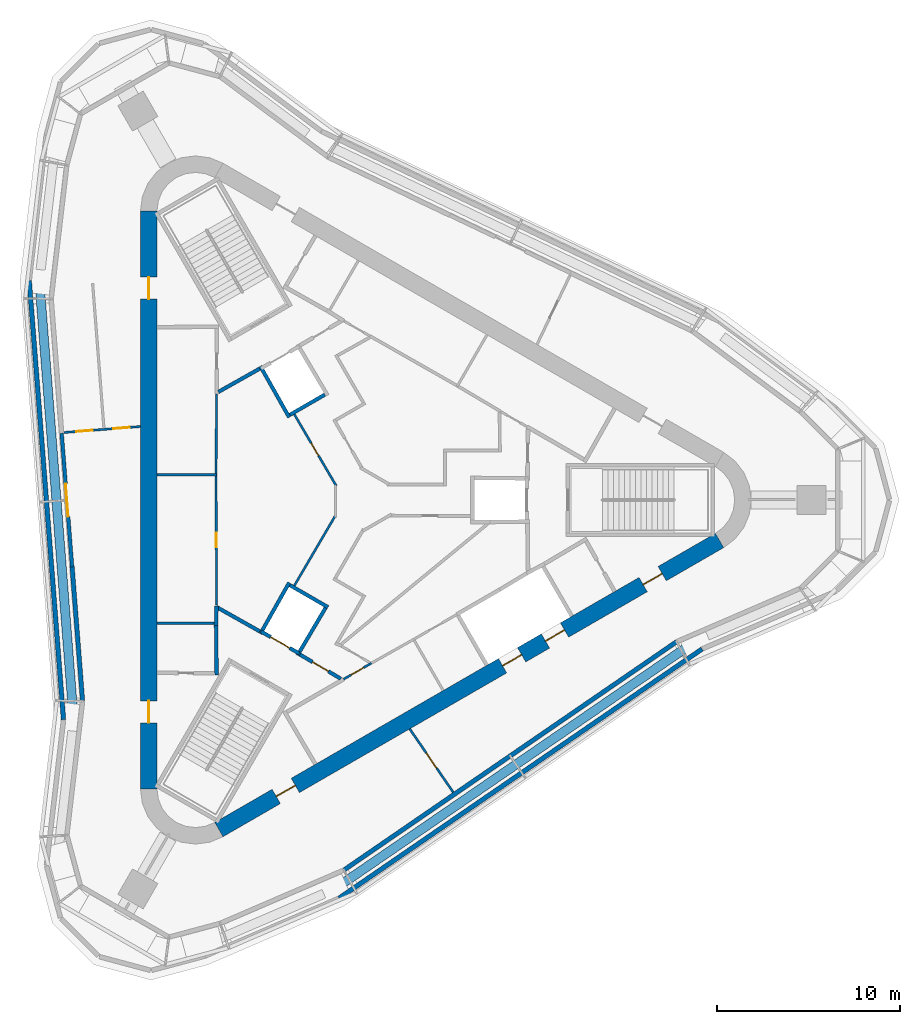
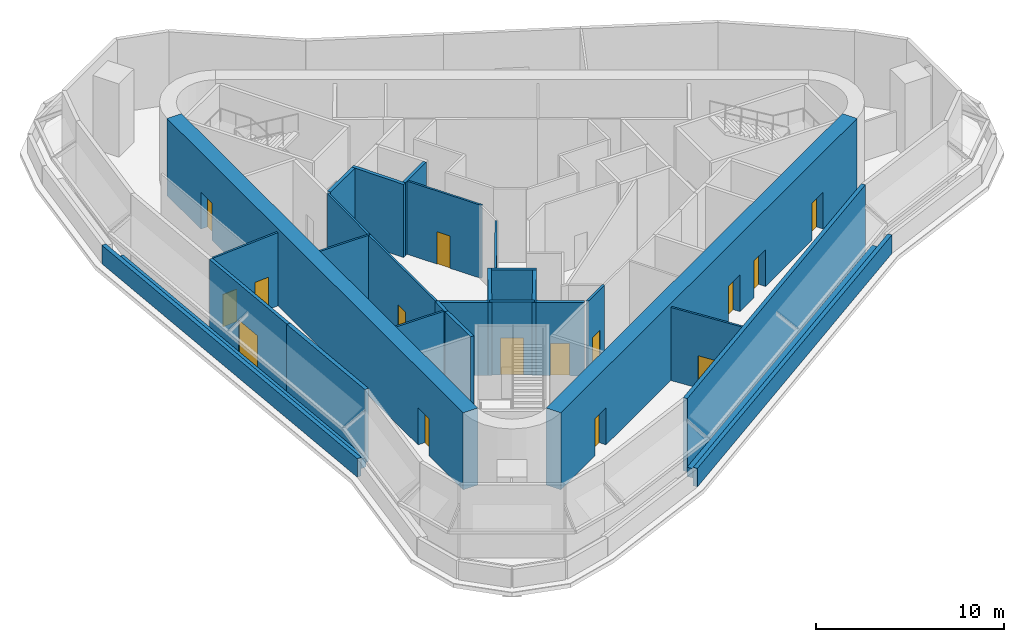
# One storey, part 3 of 7: 29 walls, 15 doors, 15 openings.
"""IFC4 building model written with IfcOpenShell, lengths in metres."""

from ifc_helpers import new_model, si_unit, direction, frame, frame_2d, origin, place, context, subcontext, project, spatial, rectangle, extrude, material, layer, layer_set, type_object, element, fill, save


model = new_model("IFC4")

# Units and contexts
model_context = context("Model", 3, precision=1e-05, world=origin(), true_north=direction((0.0, 1.0)))
body_context = subcontext(model_context, "Body", "Model", "MODEL_VIEW")
ifc_project = project(units=[si_unit("LENGTHUNIT", "METRE"), si_unit("AREAUNIT", "SQUARE_METRE"), si_unit("VOLUMEUNIT", "CUBIC_METRE"), si_unit("PLANEANGLEUNIT", "RADIAN"), si_unit("MASSUNIT", "GRAM", prefix="KILO")], contexts=[model_context])

# Site, building, storey
site_placement = place(None, origin())
site = spatial("IfcSite", under=ifc_project, at=site_placement, CompositionType="ELEMENT")
building_placement = place(site_placement, origin())
building = spatial("IfcBuilding", under=site, at=building_placement, Name="Tanit Gate Tower", CompositionType="ELEMENT")
storey_placement = place(building_placement, frame((0.0, 0.0, 420.300048828125)))
storey = spatial("IfcBuildingStorey", under=building, at=storey_placement, Name="L95", CompositionType="ELEMENT", Elevation=420.300048828125)

# Wall, openings, doors
ifc_material_1 = material(Name="Concrete C40/50", Category="concrete")
ifc_layer_1 = layer(ifc_material_1, 0.89990234375)
ifc_layer_set_1 = layer_set([ifc_layer_1], Name="CORE WALL 900 C40/50")
wall_type_1 = type_object("IfcWallType", Name="CORE WALL 900 C40/50", PredefinedType="SHEAR", material=ifc_layer_set_1)
wall_1_placement = place(storey_placement, frame((-11.64990234375, 15.76171875, 0.0), z_axis=(0.0, 0.0, 1.0), x_axis=(0.0, -1.0, 0.0)))
wall_1 = element("IfcWall", 1, at=wall_1_placement, inside=storey, type_object=wall_type_1, Name="CORE WALL", PredefinedType="SHEAR", context=body_context, shape_type="SweptSolid", body=[
    extrude(rectangle(XDim=31.5234375, YDim=0.89990234375, at=frame_2d((15.76171875, 0.0))), origin(), (0.0, 0.0, 1.0), 5.0),
])
opening_1_placement = place(wall_1_placement, frame((3.61181640625, 0.0, 0.0)))
opening_1 = element("IfcOpeningElement", 2, at=opening_1_placement, cuts=wall_1, Name="Opening F12-95-FL2", PredefinedType="OPENING", context=body_context, shape_type="SweptSolid", body=[
    extrude(rectangle(XDim=1.199951171875, YDim=2.39990234375, at=frame_2d((0.60009765625, 1.199951171875))), frame((0.0, 0.4599609375, 0.0), z_axis=(0.0, -1.0, 0.0), x_axis=(1.0, 0.0, 0.0)), (0.0, 0.0, 1.0), 0.919921875),
])
opening_2_placement = place(wall_1_placement, frame((26.711669921875, 0.0, 0.0)))
opening_2 = element("IfcOpeningElement", 3, at=opening_2_placement, cuts=wall_1, Name="Opening F12-95-S3", PredefinedType="OPENING", context=body_context, shape_type="SweptSolid", body=[
    extrude(rectangle(XDim=1.199951171875, YDim=2.39990234375, at=frame_2d((0.60009765625, 1.199951171875))), frame((0.0, 0.4599609375, 0.0), z_axis=(0.0, -1.0, 0.0), x_axis=(1.0, 0.0, 0.0)), (0.0, 0.0, 1.0), 0.919921875),
])
ifc_material_2 = material(Name="Fire-rated steel door leaf", Category="steel")
door_type_1 = type_object("IfcDoorType", Name="INT-DOOR-FIRE-LOBBY-1200", OperationType="NOTDEFINED", PredefinedType="USERDEFINED", material=ifc_material_2)
door_1_placement = place(opening_1_placement, origin())
door_1 = element("IfcDoor", 4, at=door_1_placement, inside=storey, type_object=door_type_1, Name="Door F12-95-FL2", ObjectType="FIRE DOOR", OperationType="SINGLE_SWING_LEFT", OverallHeight=2.39990234375, OverallWidth=1.199951171875, PredefinedType="USERDEFINED", context=body_context, shape_type="SweptSolid", body=[
    extrude(rectangle(XDim=1.199951171875, YDim=2.39990234375, at=frame_2d((0.60009765625, 1.199951171875))), frame((0.0, 0.02490234375, 0.0), z_axis=(0.0, -1.0, 0.0), x_axis=(1.0, 0.0, 0.0)), (0.0, 0.0, 1.0), 0.050048828125),
])
fill(opening_1, door_1)
door_2_placement = place(opening_2_placement, origin())
door_2 = element("IfcDoor", 5, at=door_2_placement, inside=storey, type_object=door_type_1, Name="Door F12-95-S3", ObjectType="FIRE DOOR", OperationType="SINGLE_SWING_LEFT", OverallHeight=2.39990234375, OverallWidth=1.199951171875, PredefinedType="USERDEFINED", context=body_context, shape_type="SweptSolid", body=[
    extrude(rectangle(XDim=1.199951171875, YDim=2.39990234375, at=frame_2d((0.60009765625, 1.199951171875))), frame((0.0, 0.02490234375, 0.0), z_axis=(0.0, -1.0, 0.0), x_axis=(1.0, 0.0, 0.0)), (0.0, 0.0, 1.0), 0.050048828125),
])
fill(opening_2, door_2)

wall_2_placement = place(storey_placement, frame((-7.824951171875, -17.969970703125, 0.0), z_axis=(0.0, 0.0, 1.0), x_axis=(0.866028369851, 0.499994862586, 0.0)))
wall_2 = element("IfcWall", 6, at=wall_2_placement, inside=storey, type_object=wall_type_1, Name="CORE WALL", PredefinedType="SHEAR", context=body_context, shape_type="SweptSolid", body=[
    extrude(rectangle(XDim=31.523193359375, YDim=0.89990234375, at=frame_2d((15.76171875, 0.0))), origin(), (0.0, 0.0, 1.0), 5.0),
])
opening_3_placement = place(wall_2_placement, frame((17.861572265625, 0.0, 0.0)))
opening_3 = element("IfcOpeningElement", 7, at=opening_3_placement, cuts=wall_2, Name="Opening LDSV1-95", PredefinedType="OPENING", context=body_context, shape_type="SweptSolid", body=[
    extrude(rectangle(XDim=1.199951171875, YDim=2.39990234375, at=frame_2d((0.60009765625, 1.199951171875))), frame((0.0, 0.4599609375, 0.0), z_axis=(0.0, -1.0, 0.0), x_axis=(1.0, 0.0, 0.0)), (0.0, 0.0, 1.0), 0.919921875),
])
opening_4_placement = place(wall_2_placement, frame((20.561767578125, 0.0, 0.0)))
opening_4 = element("IfcOpeningElement", 8, at=opening_4_placement, cuts=wall_2, Name="Opening LDSV2-95", PredefinedType="OPENING", context=body_context, shape_type="SweptSolid", body=[
    extrude(rectangle(XDim=1.199951171875, YDim=2.39990234375, at=frame_2d((0.60009765625, 1.199951171875))), frame((0.0, 0.4599609375, 0.0), z_axis=(0.0, -1.0, 0.0), x_axis=(1.0, 0.0, 0.0)), (0.0, 0.0, 1.0), 0.919921875),
])
opening_5_placement = place(wall_2_placement, frame((26.711669921875, 0.0, 0.0)))
opening_5 = element("IfcOpeningElement", 9, at=opening_5_placement, cuts=wall_2, Name="Opening F12-95-S1", PredefinedType="OPENING", context=body_context, shape_type="SweptSolid", body=[
    extrude(rectangle(XDim=1.199951171875, YDim=2.39990234375, at=frame_2d((0.60009765625, 1.199951171875))), frame((0.0, 0.4599609375, 0.0), z_axis=(0.0, -1.0, 0.0), x_axis=(1.0, 0.0, 0.0)), (0.0, 0.0, 1.0), 0.919921875),
])
opening_6_placement = place(wall_2_placement, frame((3.611572265625, 0.0, 0.0)))
opening_6 = element("IfcOpeningElement", 10, at=opening_6_placement, cuts=wall_2, Name="Opening F12-95-FL3", PredefinedType="OPENING", context=body_context, shape_type="SweptSolid", body=[
    extrude(rectangle(XDim=1.199951171875, YDim=2.39990234375, at=frame_2d((0.60009765625, 1.199951171875))), frame((0.0, 0.4599609375, 0.0), z_axis=(0.0, -1.0, 0.0), x_axis=(1.0, 0.0, 0.0)), (0.0, 0.0, 1.0), 0.919921875),
])
door_3_placement = place(opening_5_placement, origin())
door_3 = element("IfcDoor", 11, at=door_3_placement, inside=storey, type_object=door_type_1, Name="Door F12-95-S1", ObjectType="FIRE DOOR", OperationType="SINGLE_SWING_LEFT", OverallHeight=2.39990234375, OverallWidth=1.199951171875, PredefinedType="USERDEFINED", context=body_context, shape_type="SweptSolid", body=[
    extrude(rectangle(XDim=1.199951171875, YDim=2.39990234375, at=frame_2d((0.60009765625, 1.199951171875))), frame((0.0, 0.02490234375, 0.0), z_axis=(0.0, -1.0, 0.0), x_axis=(1.0, 0.0, 0.0)), (0.0, 0.0, 1.0), 0.050048828125),
])
fill(opening_5, door_3)
door_4_placement = place(opening_6_placement, origin())
door_4 = element("IfcDoor", 12, at=door_4_placement, inside=storey, type_object=door_type_1, Name="Door F12-95-FL3", ObjectType="FIRE DOOR", OperationType="SINGLE_SWING_RIGHT", OverallHeight=2.39990234375, OverallWidth=1.199951171875, PredefinedType="USERDEFINED", context=body_context, shape_type="SweptSolid", body=[
    extrude(rectangle(XDim=1.199951171875, YDim=2.39990234375, at=frame_2d((0.60009765625, 1.199951171875))), frame((0.0, 0.02490234375, 0.0), z_axis=(0.0, -1.0, 0.0), x_axis=(1.0, 0.0, 0.0)), (0.0, 0.0, 1.0), 0.050048828125),
])
fill(opening_6, door_4)
ifc_material_3 = material(Name="Stainless steel sliding door leaf", Category="steel")
door_type_2 = type_object("IfcDoorType", Name="INT-DOOR-LANDING-1200", OperationType="NOTDEFINED", PredefinedType="USERDEFINED", material=ifc_material_3)
door_5_placement = place(opening_3_placement, origin())
door_5 = element("IfcDoor", 13, at=door_5_placement, inside=storey, type_object=door_type_2, Name="Door LDSV1-95", ObjectType="LANDING DOOR", OperationType="SLIDING_TO_LEFT", OverallHeight=2.39990234375, OverallWidth=1.199951171875, PredefinedType="USERDEFINED", context=body_context, shape_type="SweptSolid", body=[
    extrude(rectangle(XDim=1.199951171875, YDim=2.39990234375, at=frame_2d((0.60009765625, 1.199951171875))), frame((0.0, 0.02490234375, 0.0), z_axis=(0.0, -1.0, 0.0), x_axis=(1.0, 0.0, 0.0)), (0.0, 0.0, 1.0), 0.050048828125),
])
fill(opening_3, door_5)
door_6_placement = place(opening_4_placement, origin())
door_6 = element("IfcDoor", 14, at=door_6_placement, inside=storey, type_object=door_type_2, Name="Door LDSV2-95", ObjectType="LANDING DOOR", OperationType="SLIDING_TO_LEFT", OverallHeight=2.39990234375, OverallWidth=1.199951171875, PredefinedType="USERDEFINED", context=body_context, shape_type="SweptSolid", body=[
    extrude(rectangle(XDim=1.199951171875, YDim=2.39990234375, at=frame_2d((0.60009765625, 1.199951171875))), frame((0.0, 0.02490234375, 0.0), z_axis=(0.0, -1.0, 0.0), x_axis=(1.0, 0.0, 0.0)), (0.0, 0.0, 1.0), 0.050048828125),
])
fill(opening_4, door_6)

# Wall, opening, door
ifc_material_4 = material(Name="Concrete C30/37 rendered", Category="concrete")
ifc_layer_2 = layer(ifc_material_4, 0.199951171875)
ifc_layer_set_2 = layer_set([ifc_layer_2], Name="Facade wall 200 rendered")
wall_type_2 = type_object("IfcWallType", Name="Facade wall 200 rendered", PredefinedType="SOLIDWALL", material=ifc_layer_set_2)
wall_3_placement = place(storey_placement, frame((-16.397705078125, 3.6396484375, 0.0), z_axis=(0.0, 0.0, 1.0), x_axis=(0.077825911159, -0.996966964123, 0.0)))
wall_3 = element("IfcWall", 15, at=wall_3_placement, inside=storey, type_object=wall_type_2, Name="Facade wall L95 W2.2", PredefinedType="SOLIDWALL", context=body_context, shape_type="SweptSolid", body=[
    extrude(rectangle(XDim=7.30615234375, YDim=0.199951171875, at=frame_2d((3.653076171875, 0.0))), origin(), (0.0, 0.0, 1.0), 4.75),
])
opening_7_placement = place(wall_3_placement, frame((2.753173828125, 0.0, 0.0)))
opening_7 = element("IfcOpeningElement", 16, at=opening_7_placement, cuts=wall_3, Name="Opening D2", PredefinedType="OPENING", context=body_context, shape_type="SweptSolid", body=[
    extrude(rectangle(XDim=1.800048828125, YDim=2.39990234375, at=frame_2d((0.89990234375, 1.199951171875))), frame((0.0, 0.10986328125, 0.0), z_axis=(0.0, -1.0, 0.0), x_axis=(1.0, 0.0, 0.0)), (0.0, 0.0, 1.0), 0.219970703125),
])
ifc_material_5 = material(Name="Aluminium bronze anodised and glass", Category="aluminium")
door_type_3 = type_object("IfcDoorType", Name="Terrace door double 1800x2400", OperationType="DOUBLE_DOOR_SINGLE_SWING", PredefinedType="DOOR", material=ifc_material_5)
door_7_placement = place(opening_7_placement, frame((1.800048828125, 0.0, 0.0), z_axis=(0.0, 0.0, 1.0), x_axis=(-1.0, 0.0, 0.0)))
door_7 = element("IfcDoor", 17, at=door_7_placement, inside=storey, type_object=door_type_3, Name="Terrace door", OperationType="SINGLE_SWING_RIGHT", OverallHeight=2.39990234375, OverallWidth=1.800048828125, PredefinedType="DOOR", context=body_context, shape_type="SweptSolid", body=[
    extrude(rectangle(XDim=1.800048828125, YDim=2.39990234375, at=frame_2d((0.89990234375, 1.199951171875))), frame((0.0, 0.02490234375, 0.0), z_axis=(0.0, -1.0, 0.0), x_axis=(1.0, 0.0, 0.0)), (0.0, 0.0, 1.0), 0.050048828125),
])
fill(opening_7, door_7)

# Walls
ifc_material_6 = material(Name="Concrete C30/37 with bronze anodised aluminium cladding", Category="concrete")
ifc_layer_3 = layer(ifc_material_6, 0.239990234375)
ifc_layer_set_3 = layer_set([ifc_layer_3], Name="Facade wall bronze clad 240")
wall_type_3 = type_object("IfcWallType", Name="Facade wall bronze clad 240", PredefinedType="SOLIDWALL", material=ifc_layer_set_3)
wall_4_placement = place(storey_placement, frame((-15.8291015625, -3.644287109375, 0.0), z_axis=(0.0, 0.0, 1.0), x_axis=(0.077832442278, -0.996966454265, 0.0)))
element("IfcWall", 18, at=wall_4_placement, inside=storey, type_object=wall_type_3, Name="Bronze-clad facade wall L95 W2b", PredefinedType="SOLIDWALL", context=body_context, shape_type="SweptSolid", body=[
    extrude(rectangle(XDim=7.34619140625, YDim=0.239990234375, at=frame_2d((3.673095703125, 0.0))), origin(), (0.0, 0.0, 1.0), 4.75),
])
wall_5_placement = place(storey_placement, frame((-1.010009765625, -20.177978515625, 0.0), z_axis=(0.0, 0.0, 1.0), x_axis=(0.824477208683, 0.565895160221, 0.0)))
element("IfcWall", 19, at=wall_5_placement, inside=storey, type_object=wall_type_3, Name="Bronze-clad facade wall L95 SE2", PredefinedType="SOLIDWALL", context=body_context, shape_type="SweptSolid", body=[
    extrude(rectangle(XDim=21.998779296875, YDim=0.239990234375, at=frame_2d((10.99951171875, 0.0))), origin(), (0.0, 0.0, 1.0), 4.75),
])
ifc_material_7 = material(Name="Fire-rated gypsum board partition")
ifc_layer_4 = layer(ifc_material_7, 0.199951171875)
ifc_layer_set_4 = layer_set([ifc_layer_4], Name="INT-WALL-COMPARTMENT")
wall_type_4 = type_object("IfcWallType", Name="INT-WALL-COMPARTMENT", PredefinedType="PARTITIONING", material=ifc_layer_set_4)
wall_6_placement = place(storey_placement, frame((-7.983154296875, -6.849853515625, 0.0), z_axis=(0.0, 0.0, 1.0), x_axis=(0.030803413295, 0.999525462272, 0.0)))
element("IfcWall", 20, at=wall_6_placement, inside=storey, type_object=wall_type_4, Name="Wall Compartment W039", PredefinedType="PARTITIONING", context=body_context, shape_type="SweptSolid", body=[
    extrude(rectangle(XDim=1.077880859375, YDim=0.199951171875, at=frame_2d((0.5390625, 0.0))), origin(), (0.0, 0.0, 1.0), 4.75),
])
wall_7_placement = place(storey_placement, frame((-7.948974609375, -9.550048828125, 0.0), z_axis=(0.0, 0.0, 1.0), x_axis=(-0.011121475088, 0.999938154483, 0.0)))
element("IfcWall", 21, at=wall_7_placement, inside=storey, type_object=wall_type_4, Name="Wall Compartment W041", PredefinedType="PARTITIONING", context=body_context, shape_type="SweptSolid", body=[
    extrude(rectangle(XDim=2.7001953125, YDim=0.199951171875, at=frame_2d((1.35009765625, 0.0))), origin(), (0.0, 0.0, 1.0), 4.75),
])
wall_8_placement = place(storey_placement, frame((-5.600341796875, 7.16015625, 0.0), z_axis=(0.0, 0.0, 1.0), x_axis=(-0.871350695252, -0.490660744185, 0.0)))
element("IfcWall", 22, at=wall_8_placement, inside=storey, type_object=wall_type_4, Name="Wall Compartment W064", PredefinedType="PARTITIONING", context=body_context, shape_type="SweptSolid", body=[
    extrude(rectangle(XDim=2.58203125, YDim=0.199951171875, at=frame_2d((1.291015625, 0.0))), origin(), (0.0, 0.0, 1.0), 4.75),
])
wall_9_placement = place(storey_placement, frame((-7.960693359375, -5.8310546875, 0.0), z_axis=(0.0, 0.0, 1.0), x_axis=(0.871354007017, -0.490654862867, 0.0)))
element("IfcWall", 23, at=wall_9_placement, inside=storey, type_object=wall_type_4, Name="Wall Compartment W066", PredefinedType="PARTITIONING", context=body_context, shape_type="SweptSolid", body=[
    extrude(rectangle(XDim=2.708740234375, YDim=0.199951171875, at=frame_2d((1.3544921875, 0.0))), origin(), (0.0, 0.0, 1.0), 4.75),
])

# Wall, opening, door
wall_10_placement = place(storey_placement, frame((-3.400634765625, -8.43017578125, 0.0), z_axis=(0.0, 0.0, 1.0), x_axis=(0.860630814782, -0.509229418482, 0.0)))
wall_10 = element("IfcWall", 24, at=wall_10_placement, inside=storey, type_object=wall_type_4, Name="Wall Compartment W067", PredefinedType="PARTITIONING", context=body_context, shape_type="SweptSolid", body=[
    extrude(rectangle(XDim=2.581787109375, YDim=0.199951171875, at=frame_2d((1.291015625, 0.0))), origin(), (0.0, 0.0, 1.0), 4.75),
])
opening_8_placement = place(wall_10_placement, frame((0.791015625, 0.0, 0.0)))
opening_8 = element("IfcOpeningElement", 25, at=opening_8_placement, cuts=wall_10, Name="Opening F10-95-08", PredefinedType="OPENING", context=body_context, shape_type="SweptSolid", body=[
    extrude(rectangle(XDim=1.0, YDim=2.10009765625, at=frame_2d((0.5, 1.050048828125))), frame((0.0, 0.10986328125, 0.0), z_axis=(0.0, -1.0, 0.0), x_axis=(1.0, 0.0, 0.0)), (0.0, 0.0, 1.0), 0.219970703125),
])
ifc_material_8 = material(Name="Fire-rated steel door leaf", Category="steel")
door_type_4 = type_object("IfcDoorType", Name="INT-DOOR-FIRE-1000", OperationType="NOTDEFINED", PredefinedType="USERDEFINED", material=ifc_material_8)
door_8_placement = place(opening_8_placement, origin())
door_8 = element("IfcDoor", 26, at=door_8_placement, inside=storey, type_object=door_type_4, Name="Door F10-95-08", ObjectType="FIRE DOOR", OperationType="SINGLE_SWING_RIGHT", OverallHeight=2.10009765625, OverallWidth=1.0, PredefinedType="USERDEFINED", context=body_context, shape_type="SweptSolid", body=[
    extrude(rectangle(XDim=1.0, YDim=2.10009765625, at=frame_2d((0.5, 1.050048828125))), frame((0.0, 0.02490234375, 0.0), z_axis=(0.0, -1.0, 0.0), x_axis=(1.0, 0.0, 0.0)), (0.0, 0.0, 1.0), 0.050048828125),
])
fill(opening_8, door_8)

# Walls
ifc_material_9 = material(Name="Gypsum board partition")
ifc_layer_5 = layer(ifc_material_9, 0.1201171875)
ifc_layer_set_5 = layer_set([ifc_layer_5], Name="INT-WALL-PARTITION")
wall_type_5 = type_object("IfcWallType", Name="INT-WALL-PARTITION", PredefinedType="PARTITIONING", material=ifc_layer_set_5)
wall_11_placement = place(storey_placement, frame((-11.199951171875, 1.3798828125, 0.0), z_axis=(0.0, 0.0, 1.0), x_axis=(1.0, 0.0, 0.0)))
element("IfcWall", 27, at=wall_11_placement, inside=storey, type_object=wall_type_5, Name="Wall Partition W034", PredefinedType="PARTITIONING", context=body_context, shape_type="SweptSolid", body=[
    extrude(rectangle(XDim=3.25, YDim=0.1201171875, at=frame_2d((1.625, 0.0))), origin(), (0.0, 0.0, 1.0), 4.75),
])
wall_12_placement = place(storey_placement, frame((-7.950439453125, 5.7724609375, 0.0), z_axis=(0.0, 0.0, 1.0), x_axis=(-0.006679767059, -0.999977690107, 0.0)))
element("IfcWall", 28, at=wall_12_placement, inside=storey, type_object=wall_type_5, Name="Wall Partition W037", PredefinedType="PARTITIONING", context=body_context, shape_type="SweptSolid", body=[
    extrude(rectangle(XDim=4.42236328125, YDim=0.1201171875, at=frame_2d((2.211181640625, 0.0))), origin(), (0.0, 0.0, 1.0), 4.75),
])
wall_13_placement = place(storey_placement, frame((-11.199951171875, -6.719970703125, 0.0), z_axis=(0.0, 0.0, 1.0), x_axis=(1.0, 0.0, 0.0)))
element("IfcWall", 29, at=wall_13_placement, inside=storey, type_object=wall_type_5, Name="Wall Partition W038", PredefinedType="PARTITIONING", context=body_context, shape_type="SweptSolid", body=[
    extrude(rectangle(XDim=3.25, YDim=0.1201171875, at=frame_2d((1.625, 0.0))), origin(), (0.0, 0.0, 1.0), 4.75),
])

# Wall, opening, door
wall_14_placement = place(storey_placement, frame((-7.97998046875, 1.35009765625, 0.0), z_axis=(0.0, 0.0, 1.0), x_axis=(0.004177130679, -0.999991275752, 0.0)))
wall_14 = element("IfcWall", 30, at=wall_14_placement, inside=storey, type_object=wall_type_5, Name="Wall Partition W040", PredefinedType="PARTITIONING", context=body_context, shape_type="SweptSolid", body=[
    extrude(rectangle(XDim=7.072021484375, YDim=0.1201171875, at=frame_2d((3.5361328125, 0.0))), origin(), (0.0, 0.0, 1.0), 4.75),
])
opening_9_placement = place(wall_14_placement, frame((3.135986328125, 0.0, 0.0)))
opening_9 = element("IfcOpeningElement", 31, at=opening_9_placement, cuts=wall_14, Name="Opening R08-95-15", PredefinedType="OPENING", context=body_context, shape_type="SweptSolid", body=[
    extrude(rectangle(XDim=0.800048828125, YDim=2.10009765625, at=frame_2d((0.39990234375, 1.050048828125))), frame((0.0, 0.070068359375, 0.0), z_axis=(0.0, -1.0, 0.0), x_axis=(1.0, 0.0, 0.0)), (0.0, 0.0, 1.0), 0.14013671875),
])
ifc_material_10 = material(Name="Timber door leaf", Category="wood")
door_type_5 = type_object("IfcDoorType", Name="INT-DOOR-RISER-800", OperationType="NOTDEFINED", PredefinedType="USERDEFINED", material=ifc_material_10)
door_9_placement = place(opening_9_placement, origin())
door_9 = element("IfcDoor", 32, at=door_9_placement, inside=storey, type_object=door_type_5, Name="Door R08-95-15", ObjectType="FIRE DOOR", OperationType="SINGLE_SWING_RIGHT", OverallHeight=2.10009765625, OverallWidth=0.800048828125, PredefinedType="USERDEFINED", context=body_context, shape_type="SweptSolid", body=[
    extrude(rectangle(XDim=0.800048828125, YDim=2.10009765625, at=frame_2d((0.39990234375, 1.050048828125))), frame((0.0, 0.02490234375, 0.0), z_axis=(0.0, -1.0, 0.0), x_axis=(1.0, 0.0, 0.0)), (0.0, 0.0, 1.0), 0.050048828125),
])
fill(opening_9, door_9)

wall_15_placement = place(storey_placement, frame((0.49267578125, -8.8955078125, 0.0), z_axis=(0.0, 0.0, 1.0), x_axis=(-0.86605557906, -0.499947731247, 0.0)))
wall_15 = element("IfcWall", 33, at=wall_15_placement, inside=storey, type_object=wall_type_5, Name="Wall Partition W058", PredefinedType="PARTITIONING", context=body_context, shape_type="SweptSolid", body=[
    extrude(rectangle(XDim=1.751220703125, YDim=0.1201171875, at=frame_2d((0.87548828125, 0.0))), origin(), (0.0, 0.0, 1.0), 4.75),
])
opening_10_placement = place(wall_15_placement, frame((0.485595703125, 0.0, 0.0)))
opening_10 = element("IfcOpeningElement", 34, at=opening_10_placement, cuts=wall_15, Name="Opening R08-95-20", PredefinedType="OPENING", context=body_context, shape_type="SweptSolid", body=[
    extrude(rectangle(XDim=0.800048828125, YDim=2.10009765625, at=frame_2d((0.39990234375, 1.050048828125))), frame((0.0, 0.070068359375, 0.0), z_axis=(0.0, -1.0, 0.0), x_axis=(1.0, 0.0, 0.0)), (0.0, 0.0, 1.0), 0.14013671875),
])
door_10_placement = place(opening_10_placement, origin())
door_10 = element("IfcDoor", 35, at=door_10_placement, inside=storey, type_object=door_type_5, Name="Door R08-95-20", ObjectType="FIRE DOOR", OperationType="SINGLE_SWING_LEFT", OverallHeight=2.10009765625, OverallWidth=0.800048828125, PredefinedType="USERDEFINED", context=body_context, shape_type="SweptSolid", body=[
    extrude(rectangle(XDim=0.800048828125, YDim=2.10009765625, at=frame_2d((0.39990234375, 1.050048828125))), frame((0.0, 0.02490234375, 0.0), z_axis=(0.0, -1.0, 0.0), x_axis=(1.0, 0.0, 0.0)), (0.0, 0.0, 1.0), 0.050048828125),
])
fill(opening_10, door_10)

wall_16_placement = place(storey_placement, frame((-1.42041015625, 0.76171875, 0.0), z_axis=(0.0, 0.0, 1.0), x_axis=(-0.505655878767, 0.862735261983, 0.0)))
wall_16 = element("IfcWall", 36, at=wall_16_placement, inside=storey, type_object=wall_type_5, Name="Wall Partition W068", PredefinedType="PARTITIONING", context=body_context, shape_type="SweptSolid", body=[
    extrude(rectangle(XDim=4.5302734375, YDim=0.1201171875, at=frame_2d((2.26513671875, 0.0))), origin(), (0.0, 0.0, 1.0), 4.75),
])
opening_11_placement = place(wall_16_placement, frame((1.916259765625, 0.0, 0.0)))
opening_11 = element("IfcOpeningElement", 37, at=opening_11_placement, cuts=wall_16, Name="Opening R08-95-10", PredefinedType="OPENING", context=body_context, shape_type="SweptSolid", body=[
    extrude(rectangle(XDim=0.800048828125, YDim=2.10009765625, at=frame_2d((0.39990234375, 1.050048828125))), frame((0.0, 0.070068359375, 0.0), z_axis=(0.0, -1.0, 0.0), x_axis=(1.0, 0.0, 0.0)), (0.0, 0.0, 1.0), 0.14013671875),
])
door_11_placement = place(opening_11_placement, origin())
door_11 = element("IfcDoor", 38, at=door_11_placement, inside=storey, type_object=door_type_5, Name="Door R08-95-10", ObjectType="FIRE DOOR", OperationType="SINGLE_SWING_LEFT", OverallHeight=2.10009765625, OverallWidth=0.800048828125, PredefinedType="USERDEFINED", context=body_context, shape_type="SweptSolid", body=[
    extrude(rectangle(XDim=0.800048828125, YDim=2.10009765625, at=frame_2d((0.39990234375, 1.050048828125))), frame((0.0, 0.02490234375, 0.0), z_axis=(0.0, -1.0, 0.0), x_axis=(1.0, 0.0, 0.0)), (0.0, 0.0, 1.0), 0.050048828125),
])
fill(opening_11, door_11)

# Wall
wall_17_placement = place(storey_placement, frame((-3.711181640625, -4.670166015625, 0.0), z_axis=(0.0, 0.0, 1.0), x_axis=(0.505649867547, 0.862738785178, 0.0)))
element("IfcWall", 39, at=wall_17_placement, inside=storey, type_object=wall_type_5, Name="Wall Partition W070", PredefinedType="PARTITIONING", context=body_context, shape_type="SweptSolid", body=[
    extrude(rectangle(XDim=4.4091796875, YDim=0.1201171875, at=frame_2d((2.20458984375, 0.0))), origin(), (0.0, 0.0, 1.0), 4.75),
])

# Wall, openings, doors
wall_18_placement = place(storey_placement, frame((-12.10009765625, 4.00537109375, 0.0), z_axis=(0.0, 0.0, 1.0), x_axis=(-0.996967090408, -0.077824293398, 0.0)))
wall_18 = element("IfcWall", 40, at=wall_18_placement, inside=storey, type_object=wall_type_5, Name="Wall Partition W089", PredefinedType="PARTITIONING", context=body_context, shape_type="SweptSolid", body=[
    extrude(rectangle(XDim=4.18798828125, YDim=0.1201171875, at=frame_2d((2.093994140625, 0.0))), origin(), (0.0, 0.0, 1.0), 4.75),
])
opening_12_placement = place(wall_18_placement, frame((0.60009765625, 0.0, 0.0)))
opening_12 = element("IfcOpeningElement", 41, at=opening_12_placement, cuts=wall_18, Name="Opening D09-95-25", PredefinedType="OPENING", context=body_context, shape_type="SweptSolid", body=[
    extrude(rectangle(XDim=0.89990234375, YDim=2.10009765625, at=frame_2d((0.449951171875, 1.050048828125))), frame((0.0, 0.070068359375, 0.0), z_axis=(0.0, -1.0, 0.0), x_axis=(1.0, 0.0, 0.0)), (0.0, 0.0, 1.0), 0.14013671875),
])
opening_13_placement = place(wall_18_placement, frame((2.62353515625, 0.0, 0.0)))
opening_13 = element("IfcOpeningElement", 42, at=opening_13_placement, cuts=wall_18, Name="Opening D09-95-26", PredefinedType="OPENING", context=body_context, shape_type="SweptSolid", body=[
    extrude(rectangle(XDim=0.89990234375, YDim=2.10009765625, at=frame_2d((0.449951171875, 1.050048828125))), frame((0.0, 0.070068359375, 0.0), z_axis=(0.0, -1.0, 0.0), x_axis=(1.0, 0.0, 0.0)), (0.0, 0.0, 1.0), 0.14013671875),
])
ifc_material_11 = material(Name="Timber door leaf", Category="wood")
door_type_6 = type_object("IfcDoorType", Name="INT-DOOR-SINGLE-900", OperationType="NOTDEFINED", PredefinedType="NOTDEFINED", material=ifc_material_11)
door_12_placement = place(opening_12_placement, origin())
door_12 = element("IfcDoor", 43, at=door_12_placement, inside=storey, type_object=door_type_6, Name="Door D09-95-25", OperationType="SINGLE_SWING_LEFT", OverallHeight=2.10009765625, OverallWidth=0.89990234375, PredefinedType="NOTDEFINED", context=body_context, shape_type="SweptSolid", body=[
    extrude(rectangle(XDim=0.89990234375, YDim=2.10009765625, at=frame_2d((0.449951171875, 1.050048828125))), frame((0.0, 0.02490234375, 0.0), z_axis=(0.0, -1.0, 0.0), x_axis=(1.0, 0.0, 0.0)), (0.0, 0.0, 1.0), 0.050048828125),
])
fill(opening_12, door_12)
door_13_placement = place(opening_13_placement, origin())
door_13 = element("IfcDoor", 44, at=door_13_placement, inside=storey, type_object=door_type_6, Name="Door D09-95-26", OperationType="SINGLE_SWING_RIGHT", OverallHeight=2.10009765625, OverallWidth=0.89990234375, PredefinedType="NOTDEFINED", context=body_context, shape_type="SweptSolid", body=[
    extrude(rectangle(XDim=0.89990234375, YDim=2.10009765625, at=frame_2d((0.449951171875, 1.050048828125))), frame((0.0, 0.02490234375, 0.0), z_axis=(0.0, -1.0, 0.0), x_axis=(1.0, 0.0, 0.0)), (0.0, 0.0, 1.0), 0.050048828125),
])
fill(opening_13, door_13)

# Wall, opening, door
wall_19_placement = place(storey_placement, frame((2.581298828125, -12.4814453125, 0.0), z_axis=(0.0, 0.0, 1.0), x_axis=(0.565895333032, -0.824477090071, 0.0)))
wall_19 = element("IfcWall", 45, at=wall_19_placement, inside=storey, type_object=wall_type_5, Name="Wall Partition W096", PredefinedType="PARTITIONING", context=body_context, shape_type="SweptSolid", body=[
    extrude(rectangle(XDim=4.188232421875, YDim=0.1201171875, at=frame_2d((2.09423828125, 0.0))), origin(), (0.0, 0.0, 1.0), 4.75),
])
opening_14_placement = place(wall_19_placement, frame((1.60009765625, 0.0, 0.0)))
opening_14 = element("IfcOpeningElement", 46, at=opening_14_placement, cuts=wall_19, Name="Opening D10-95-24", PredefinedType="OPENING", context=body_context, shape_type="SweptSolid", body=[
    extrude(rectangle(XDim=1.0, YDim=2.10009765625, at=frame_2d((0.5, 1.050048828125))), frame((0.0, 0.070068359375, 0.0), z_axis=(0.0, -1.0, 0.0), x_axis=(1.0, 0.0, 0.0)), (0.0, 0.0, 1.0), 0.14013671875),
])
ifc_material_12 = material(Name="Timber door leaf", Category="wood")
door_type_7 = type_object("IfcDoorType", Name="INT-DOOR-SINGLE-1000", OperationType="NOTDEFINED", PredefinedType="NOTDEFINED", material=ifc_material_12)
door_14_placement = place(opening_14_placement, origin())
door_14 = element("IfcDoor", 47, at=door_14_placement, inside=storey, type_object=door_type_7, Name="Door D10-95-24", OperationType="SINGLE_SWING_LEFT", OverallHeight=2.10009765625, OverallWidth=1.0, PredefinedType="NOTDEFINED", context=body_context, shape_type="SweptSolid", body=[
    extrude(rectangle(XDim=1.0, YDim=2.10009765625, at=frame_2d((0.5, 1.050048828125))), frame((0.0, 0.02490234375, 0.0), z_axis=(0.0, -1.0, 0.0), x_axis=(1.0, 0.0, 0.0)), (0.0, 0.0, 1.0), 0.050048828125),
])
fill(opening_14, door_14)

# Walls
ifc_material_13 = material(Name="Gypsum shaft wall system")
ifc_layer_6 = layer(ifc_material_13, 0.199951171875)
ifc_layer_set_6 = layer_set([ifc_layer_6], Name="INT-WALL-SHAFT")
wall_type_6 = type_object("IfcWallType", Name="INT-WALL-SHAFT", PredefinedType="PLUMBINGWALL", material=ifc_layer_set_6)
wall_20_placement = place(storey_placement, frame((-2.04736328125, 5.74609375, 0.0), z_axis=(0.0, 0.0, 1.0), x_axis=(-0.86605622881, -0.499946605688, 0.0)))
element("IfcWall", 48, at=wall_20_placement, inside=storey, type_object=wall_type_6, Name="Wall Shaft W024", PredefinedType="PLUMBINGWALL", context=body_context, shape_type="SweptSolid", body=[
    extrude(rectangle(XDim=2.199951171875, YDim=0.199951171875, at=frame_2d((1.10009765625, 0.0))), origin(), (0.0, 0.0, 1.0), 4.75),
])
wall_21_placement = place(storey_placement, frame((-3.989990234375, 4.509033203125, 0.0), z_axis=(0.0, 0.0, 1.0), x_axis=(-0.491358283181, 0.870957540612, 0.0)))
element("IfcWall", 49, at=wall_21_placement, inside=storey, type_object=wall_type_6, Name="Wall Shaft W022", PredefinedType="PLUMBINGWALL", context=body_context, shape_type="SweptSolid", body=[
    extrude(rectangle(XDim=3.200439453125, YDim=0.199951171875, at=frame_2d((1.60009765625, 0.0))), origin(), (0.0, 0.0, 1.0), 4.75),
])

# Wall, opening, door
wall_22_placement = place(storey_placement, frame((-3.44580078125, -8.3681640625, 0.0), z_axis=(0.0, 0.0, 1.0), x_axis=(-0.866024647952, 0.500001309137, 0.0)))
wall_22 = element("IfcWall", 50, at=wall_22_placement, inside=storey, type_object=wall_type_6, Name="Wall Shaft W029", PredefinedType="PLUMBINGWALL", context=body_context, shape_type="SweptSolid", body=[
    extrude(rectangle(XDim=2.39990234375, YDim=0.199951171875, at=frame_2d((1.199951171875, 0.0))), origin(), (0.0, 0.0, 1.0), 4.75),
])
opening_15_placement = place(wall_22_placement, frame((0.60009765625, 0.0, 0.0)))
opening_15 = element("IfcOpeningElement", 51, at=opening_15_placement, cuts=wall_22, Name="Opening LDFL3-L95", PredefinedType="OPENING", context=body_context, shape_type="SweptSolid", body=[
    extrude(rectangle(XDim=1.199951171875, YDim=2.39990234375, at=frame_2d((0.60009765625, 1.199951171875))), frame((0.0, 0.10986328125, 0.0), z_axis=(0.0, -1.0, 0.0), x_axis=(1.0, 0.0, 0.0)), (0.0, 0.0, 1.0), 0.219970703125),
])
door_15_placement = place(opening_15_placement, origin())
door_15 = element("IfcDoor", 52, at=door_15_placement, inside=storey, type_object=door_type_2, Name="Door LDFL3-L95", ObjectType="LANDING DOOR", OperationType="SLIDING_TO_LEFT", OverallHeight=2.39990234375, OverallWidth=1.199951171875, PredefinedType="USERDEFINED", context=body_context, shape_type="SweptSolid", body=[
    extrude(rectangle(XDim=1.199951171875, YDim=2.39990234375, at=frame_2d((0.60009765625, 1.199951171875))), frame((0.0, 0.02490234375, 0.0), z_axis=(0.0, -1.0, 0.0), x_axis=(1.0, 0.0, 0.0)), (0.0, 0.0, 1.0), 0.050048828125),
])
fill(opening_15, door_15)

# Walls
wall_23_placement = place(storey_placement, frame((-5.5625, -7.29638671875, 0.0), z_axis=(0.0, 0.0, 1.0), x_axis=(0.491358283181, 0.870957540612, 0.0)))
element("IfcWall", 53, at=wall_23_placement, inside=storey, type_object=wall_type_6, Name="Wall Shaft W030", PredefinedType="PLUMBINGWALL", context=body_context, shape_type="SweptSolid", body=[
    extrude(rectangle(XDim=3.200439453125, YDim=0.199951171875, at=frame_2d((1.60009765625, 0.0))), origin(), (0.0, 0.0, 1.0), 4.75),
])
wall_24_placement = place(storey_placement, frame((-3.95263671875, -4.646240234375, 0.0), z_axis=(0.0, 0.0, 1.0), x_axis=(0.866024647952, -0.500001309137, 0.0)))
element("IfcWall", 54, at=wall_24_placement, inside=storey, type_object=wall_type_6, Name="Wall Shaft W031", PredefinedType="PLUMBINGWALL", context=body_context, shape_type="SweptSolid", body=[
    extrude(rectangle(XDim=2.39990234375, YDim=0.199951171875, at=frame_2d((1.199951171875, 0.0))), origin(), (0.0, 0.0, 1.0), 4.75),
])
wall_25_placement = place(storey_placement, frame((-2.01171875, -5.88232421875, 0.0), z_axis=(0.0, 0.0, 1.0), x_axis=(-0.508619639323, -0.860991325447, 0.0)))
element("IfcWall", 55, at=wall_25_placement, inside=storey, type_object=wall_type_6, Name="Wall Shaft W033", PredefinedType="PLUMBINGWALL", context=body_context, shape_type="SweptSolid", body=[
    extrude(rectangle(XDim=3.0, YDim=0.199951171875, at=frame_2d((1.5, 0.0))), origin(), (0.0, 0.0, 1.0), 4.75),
])
ifc_material_14 = material(Name="Concrete C30/37", Category="concrete")
ifc_layer_7 = layer(ifc_material_14, 0.25)
ifc_layer_set_7 = layer_set([ifc_layer_7], Name="Parapet wall 250")
wall_type_7 = type_object("IfcWallType", Name="Parapet wall 250", PredefinedType="PARAPET", material=ifc_layer_set_7)
for number, where, z_axis, x_axis, name in (
    (56, (18.52099609375, -8.12548828125, 0.0400390625), (0.0, 0.0, 1.0), (-0.82448023265, -0.565890754447, 0.0), "Terrace parapet L95 6"),
    (57, (-16.29736328125, -11.976806640625, 0.0400390625), (0.0, 0.0, 1.0), (-0.077837286137, 0.996966076096, 0.0), "Terrace parapet L95 13"),
):
    element("IfcWall", number, at=place(storey_placement, frame(where, z_axis=z_axis, x_axis=x_axis)), inside=storey, type_object=wall_type_7, Name=name, PredefinedType="PARAPET", context=body_context, shape_type="SweptSolid", body=[
        extrude(rectangle(XDim=24.007080078125, YDim=0.25, at=frame_2d((12.00341796875, 0.0))), origin(), (0.0, 0.0, 1.0), 1.199951171875),
    ])
ifc_material_15 = material(Name="Concrete C30/37", Category="concrete")
ifc_layer_8 = layer(ifc_material_15, 0.5)
ifc_layer_set_8 = layer_set([ifc_layer_8], Name="Planter box 600")
wall_type_8 = type_object("IfcWallType", Name="Planter box 600", PredefinedType="PARAPET", material=ifc_layer_set_8)
wall_26_placement = place(storey_placement, frame((17.769287109375, -7.974365234375, 0.0400390625), z_axis=(0.0, 0.0, 1.0), x_axis=(-0.824477548628, -0.565894664941, 0.0)))
element("IfcWall", 58, at=wall_26_placement, inside=storey, type_object=wall_type_8, Name="PLANTER", PredefinedType="PARAPET", context=body_context, shape_type="SweptSolid", body=[
    extrude(rectangle(XDim=22.831298828125, YDim=0.5, at=frame_2d((11.41552734375, 0.0))), origin(), (0.0, 0.0, 1.0), 0.599853515625),
])
wall_27_placement = place(storey_placement, frame((-15.79052734375, -11.401611328125, 0.0400390625), z_axis=(0.0, 0.0, 1.0), x_axis=(-0.07784532061, 0.996965448779, 0.0)))
element("IfcWall", 59, at=wall_27_placement, inside=storey, type_object=wall_type_8, Name="PLANTER", PredefinedType="PARAPET", context=body_context, shape_type="SweptSolid", body=[
    extrude(rectangle(XDim=22.831787109375, YDim=0.5, at=frame_2d((11.416015625, 0.0))), origin(), (0.0, 0.0, 1.0), 0.599853515625),
])

save(model, "model.ifc")
